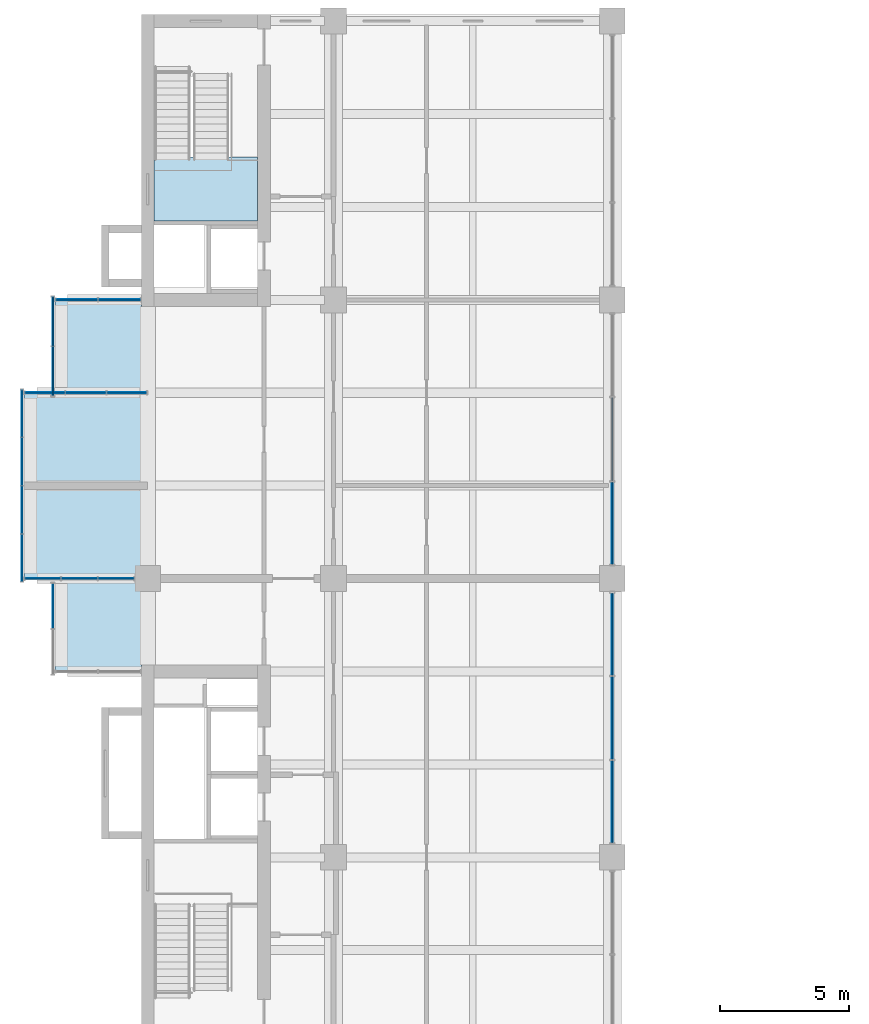
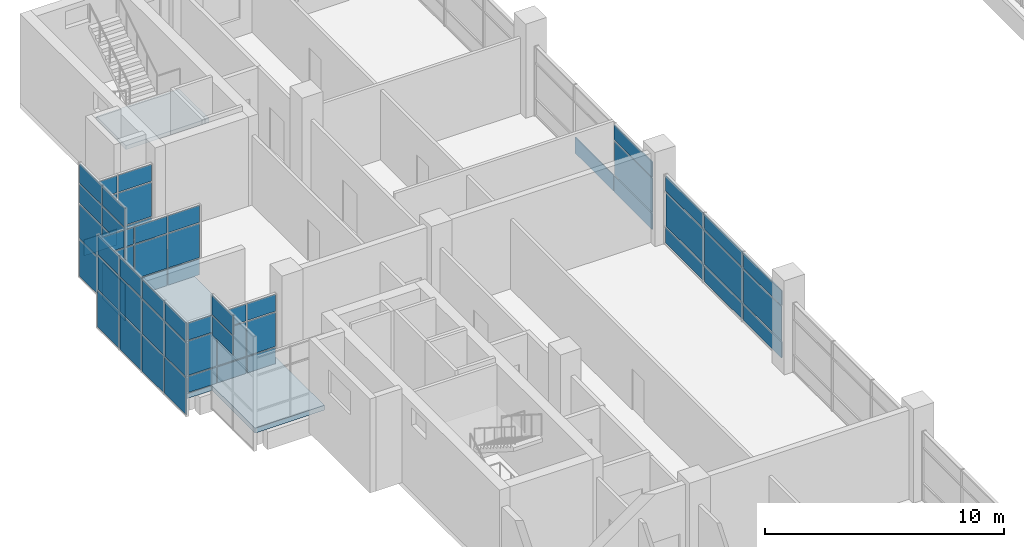
# One storey, part 18 of 30: 59 plates, 2 slabs, 9 elements without a shape of their own.
"""IFC4 building model written with IfcOpenShell, lengths in metres."""

from ifc_helpers import new_model, si_unit, direction, frame, origin, origin_2d, place, context, subcontext, project, spatial, polyline, rectangle, outline, extrude, material, layer, layer_set, type_object, element, aggregate, save


model = new_model("IFC4")

# Units and contexts
model_context = context("Model", 3, precision=1e-05, world=origin(), true_north=direction((0.0, 1.0)))
body_context = subcontext(model_context, "Body", "Model", "MODEL_VIEW")
ifc_project = project(units=[si_unit("LENGTHUNIT", "METRE"), si_unit("AREAUNIT", "SQUARE_METRE"), si_unit("VOLUMEUNIT", "CUBIC_METRE"), si_unit("PLANEANGLEUNIT", "RADIAN"), si_unit("MASSUNIT", "GRAM", prefix="KILO")], contexts=[model_context])

# Site, building, storey
site_placement = place(None, origin())
site = spatial("IfcSite", under=ifc_project, at=site_placement, CompositionType="ELEMENT")
building_placement = place(site_placement, origin())
building = spatial("IfcBuilding", under=site, at=building_placement, Name="Basin Gate Institute", CompositionType="ELEMENT")
storey_placement = place(building_placement, frame((0.0, 0.0, 36.60009765625)))
storey = spatial("IfcBuildingStorey", under=building, at=storey_placement, Name="L07", CompositionType="ELEMENT", Elevation=36.60009765625)

# Slab
ifc_material_1 = material(Name="Concrete 40 MPa", Category="concrete")
ifc_layer_1 = layer(ifc_material_1, 0.25)
ifc_layer_set_1 = layer_set([ifc_layer_1], Name="Concrete 40 MPa")
slab_type_1 = type_object("IfcSlabType", Name="Slab SL4 R120", PredefinedType="FLOOR", material=ifc_layer_set_1)
slab_1_placement = place(storey_placement, frame((0.0, 0.0, -0.25)))
element("IfcSlab", 1, at=slab_1_placement, inside=storey, type_object=slab_type_1, material=ifc_layer_set_1, Name="SLAB/L07/WK21", PredefinedType="FLOOR", context=body_context, shape_type="SweptSolid", body=[
    extrude(outline(polyline([(57.60009765625, 74.699951171875), (57.60009765625, 78.300048828125), (56.39990234375, 78.300048828125), (56.39990234375, 85.5), (57.60009765625, 85.5), (57.60009765625, 89.10009765625), (60.949951171875, 89.10009765625), (60.949951171875, 74.699951171875), (57.60009765625, 74.699951171875)])), origin(), (0.0, 0.0, 1.0), 0.25),
])

# Curtain wall, plates
ifc_material_2 = material(Name="Aluminium-framed glazing", Category="aluminium")
ifc_layer_2 = layer(ifc_material_2, 0.199951171875)
ifc_layer_set_2 = layer_set([ifc_layer_2], Name="Atrium curtain wall CW2")
curtain_wall_type_1 = type_object("IfcCurtainWallType", Name="Atrium curtain wall CW2", PredefinedType="NOTDEFINED", material=ifc_layer_set_2)
curtain_wall_1_placement = place(storey_placement, origin())
curtain_wall_1 = element("IfcCurtainWall", 2, at=curtain_wall_1_placement, inside=storey, type_object=curtain_wall_type_1, material=ifc_layer_set_2, Name="Atrium curtain wall W wing atrium bay 4 L07", PredefinedType="NOTDEFINED")
ifc_material_3 = material(Name="Aluminium insulated spandrel panel", Category="aluminium")
ifc_layer_3 = layer(ifc_material_3, 0.050048828125)
ifc_layer_set_3 = layer_set([ifc_layer_3], Name="Spandrel panel PN2")
plate_type_1 = type_object("IfcPlateType", Name="Spandrel panel PN2", PredefinedType="CURTAIN_PANEL", material=ifc_layer_set_3)
plate_1_placement = place(storey_placement, frame((79.199951171875, 69.6484375, 0.059814453125), z_axis=(0.0, 0.0, 1.0), x_axis=(0.0, 1.0, 0.0)))
plate_1 = element("IfcPlate", 3, at=plate_1_placement, type_object=plate_type_1, material=ifc_layer_set_3, Name="CW2 spandrel panel 1.1", PredefinedType="CURTAIN_PANEL", context=body_context, shape_type="SweptSolid", body=[
    extrude(rectangle(XDim=3.1767578125, YDim=0.050048828125, at=origin_2d()), origin(), (0.0, 0.0, 1.0), 0.81005859375),
])
plate_2_placement = place(storey_placement, frame((79.199951171875, 69.6484375, 2.72998046875), z_axis=(0.0, 0.0, 1.0), x_axis=(0.0, 1.0, 0.0)))
plate_2 = element("IfcPlate", 4, at=plate_2_placement, type_object=plate_type_1, material=ifc_layer_set_3, Name="CW2 spandrel panel 1.3", PredefinedType="CURTAIN_PANEL", context=body_context, shape_type="SweptSolid", body=[
    extrude(rectangle(XDim=3.1767578125, YDim=0.050048828125, at=origin_2d()), origin(), (0.0, 0.0, 1.0), 0.760009765625),
])
plate_3_placement = place(storey_placement, frame((79.199951171875, 72.89990234375, 0.059814453125), z_axis=(0.0, 0.0, 1.0), x_axis=(0.0, 1.0, 0.0)))
plate_3 = element("IfcPlate", 5, at=plate_3_placement, type_object=plate_type_1, material=ifc_layer_set_3, Name="CW2 spandrel panel 2.1", PredefinedType="CURTAIN_PANEL", context=body_context, shape_type="SweptSolid", body=[
    extrude(rectangle(XDim=3.206787109375, YDim=0.050048828125, at=origin_2d()), origin(), (0.0, 0.0, 1.0), 0.81005859375),
])
plate_4_placement = place(storey_placement, frame((79.199951171875, 72.89990234375, 2.72998046875), z_axis=(0.0, 0.0, 1.0), x_axis=(0.0, 1.0, 0.0)))
plate_4 = element("IfcPlate", 6, at=plate_4_placement, type_object=plate_type_1, material=ifc_layer_set_3, Name="CW2 spandrel panel 2.3", PredefinedType="CURTAIN_PANEL", context=body_context, shape_type="SweptSolid", body=[
    extrude(rectangle(XDim=3.206787109375, YDim=0.050048828125, at=origin_2d()), origin(), (0.0, 0.0, 1.0), 0.760009765625),
])
plate_5_placement = place(storey_placement, frame((79.199951171875, 76.151611328125, 0.059814453125), z_axis=(0.0, 0.0, 1.0), x_axis=(0.0, 1.0, 0.0)))
plate_5 = element("IfcPlate", 7, at=plate_5_placement, type_object=plate_type_1, material=ifc_layer_set_3, Name="CW2 spandrel panel 3.1", PredefinedType="CURTAIN_PANEL", context=body_context, shape_type="SweptSolid", body=[
    extrude(rectangle(XDim=3.1767578125, YDim=0.050048828125, at=origin_2d()), origin(), (0.0, 0.0, 1.0), 0.81005859375),
])
plate_6_placement = place(storey_placement, frame((79.199951171875, 76.151611328125, 2.72998046875), z_axis=(0.0, 0.0, 1.0), x_axis=(0.0, 1.0, 0.0)))
plate_6 = element("IfcPlate", 8, at=plate_6_placement, type_object=plate_type_1, material=ifc_layer_set_3, Name="CW2 spandrel panel 3.3", PredefinedType="CURTAIN_PANEL", context=body_context, shape_type="SweptSolid", body=[
    extrude(rectangle(XDim=3.1767578125, YDim=0.050048828125, at=origin_2d()), origin(), (0.0, 0.0, 1.0), 0.760009765625),
])

curtain_wall_2_placement = place(storey_placement, origin())
curtain_wall_2 = element("IfcCurtainWall", 9, at=curtain_wall_2_placement, inside=storey, type_object=curtain_wall_type_1, material=ifc_layer_set_2, Name="Atrium curtain wall W wing atrium bay 5 L07", PredefinedType="NOTDEFINED")
plate_7_placement = place(storey_placement, frame((79.199951171875, 80.4482421875, 0.059814453125), z_axis=(0.0, 0.0, 1.0), x_axis=(0.0, 1.0, 0.0)))
plate_7 = element("IfcPlate", 10, at=plate_7_placement, type_object=plate_type_1, material=ifc_layer_set_3, Name="CW2 spandrel panel 1.1", PredefinedType="CURTAIN_PANEL", context=body_context, shape_type="SweptSolid", body=[
    extrude(rectangle(XDim=3.1767578125, YDim=0.050048828125, at=origin_2d()), origin(), (0.0, 0.0, 1.0), 0.81005859375),
])
plate_8_placement = place(storey_placement, frame((79.199951171875, 80.4482421875, 2.72998046875), z_axis=(0.0, 0.0, 1.0), x_axis=(0.0, 1.0, 0.0)))
plate_8 = element("IfcPlate", 11, at=plate_8_placement, type_object=plate_type_1, material=ifc_layer_set_3, Name="CW2 spandrel panel 1.3", PredefinedType="CURTAIN_PANEL", context=body_context, shape_type="SweptSolid", body=[
    extrude(rectangle(XDim=3.1767578125, YDim=0.050048828125, at=origin_2d()), origin(), (0.0, 0.0, 1.0), 0.760009765625),
])
plate_9_placement = place(storey_placement, frame((79.199951171875, 83.699951171875, 0.059814453125), z_axis=(0.0, 0.0, 1.0), x_axis=(0.0, 1.0, 0.0)))
plate_9 = element("IfcPlate", 12, at=plate_9_placement, type_object=plate_type_1, material=ifc_layer_set_3, Name="CW2 spandrel panel 2.1", PredefinedType="CURTAIN_PANEL", context=body_context, shape_type="SweptSolid", body=[
    extrude(rectangle(XDim=3.206787109375, YDim=0.050048828125, at=origin_2d()), origin(), (0.0, 0.0, 1.0), 0.81005859375),
])

ifc_material_4 = material(Name="Aluminium-framed glazing", Category="aluminium")
ifc_layer_4 = layer(ifc_material_4, 0.14990234375)
ifc_layer_set_4 = layer_set([ifc_layer_4], Name="Capsule front curtain wall CW1")
curtain_wall_type_2 = type_object("IfcCurtainWallType", Name="Capsule front curtain wall CW1", PredefinedType="NOTDEFINED", material=ifc_layer_set_4)
curtain_wall_3_placement = place(storey_placement, origin())
curtain_wall_3 = element("IfcCurtainWall", 13, at=curtain_wall_3_placement, inside=storey, type_object=curtain_wall_type_2, material=ifc_layer_set_4, Name="Capsule front curtain wall W wing capsule end L07 line 13", PredefinedType="NOTDEFINED")
plate_10_placement = place(storey_placement, frame((57.129150390625, 78.300048828125, 0.059814453125), z_axis=(0.0, 0.0, 1.0), x_axis=(1.0, 0.0, 0.0)))
plate_10 = element("IfcPlate", 14, at=plate_10_placement, type_object=plate_type_1, material=ifc_layer_set_3, Name="CW1 spandrel panel 1.1", PredefinedType="CURTAIN_PANEL", context=body_context, shape_type="SweptSolid", body=[
    extrude(rectangle(XDim=1.3583984375, YDim=0.050048828125, at=origin_2d()), origin(), (0.0, 0.0, 1.0), 0.81005859375),
])
plate_11_placement = place(storey_placement, frame((58.550048828125, 78.300048828125, 0.059814453125), z_axis=(0.0, 0.0, 1.0), x_axis=(1.0, 0.0, 0.0)))
plate_11 = element("IfcPlate", 15, at=plate_11_placement, type_object=plate_type_1, material=ifc_layer_set_3, Name="CW1 spandrel panel 2.1", PredefinedType="CURTAIN_PANEL", context=body_context, shape_type="SweptSolid", body=[
    extrude(rectangle(XDim=1.38330078125, YDim=0.050048828125, at=origin_2d()), origin(), (0.0, 0.0, 1.0), 0.81005859375),
])
plate_12_placement = place(storey_placement, frame((59.970947265625, 78.300048828125, 0.059814453125), z_axis=(0.0, 0.0, 1.0), x_axis=(1.0, 0.0, 0.0)))
plate_12 = element("IfcPlate", 16, at=plate_12_placement, type_object=plate_type_1, material=ifc_layer_set_3, Name="CW1 spandrel panel 3.1", PredefinedType="CURTAIN_PANEL", context=body_context, shape_type="SweptSolid", body=[
    extrude(rectangle(XDim=1.3583984375, YDim=0.050048828125, at=origin_2d()), origin(), (0.0, 0.0, 1.0), 0.81005859375),
])

curtain_wall_4_placement = place(storey_placement, origin())
curtain_wall_4 = element("IfcCurtainWall", 17, at=curtain_wall_4_placement, inside=storey, type_object=curtain_wall_type_2, material=ifc_layer_set_4, Name="Capsule front curtain wall W wing capsule end L07 line 15", PredefinedType="NOTDEFINED")
plate_13_placement = place(storey_placement, frame((57.21240234375, 85.5, 0.059814453125), z_axis=(0.0, 0.0, 1.0), x_axis=(1.0, 0.0, 0.0)))
plate_13 = element("IfcPlate", 18, at=plate_13_placement, type_object=plate_type_1, material=ifc_layer_set_3, Name="CW1 spandrel panel 1.1", PredefinedType="CURTAIN_PANEL", context=body_context, shape_type="SweptSolid", body=[
    extrude(rectangle(XDim=1.52490234375, YDim=0.050048828125, at=origin_2d()), origin(), (0.0, 0.0, 1.0), 0.81005859375),
])
plate_14_placement = place(storey_placement, frame((58.800048828125, 85.5, 0.059814453125), z_axis=(0.0, 0.0, 1.0), x_axis=(1.0, 0.0, 0.0)))
plate_14 = element("IfcPlate", 19, at=plate_14_placement, type_object=plate_type_1, material=ifc_layer_set_3, Name="CW1 spandrel panel 2.1", PredefinedType="CURTAIN_PANEL", context=body_context, shape_type="SweptSolid", body=[
    extrude(rectangle(XDim=1.550048828125, YDim=0.050048828125, at=origin_2d()), origin(), (0.0, 0.0, 1.0), 0.81005859375),
])
plate_15_placement = place(storey_placement, frame((60.387451171875, 85.5, 0.059814453125), z_axis=(0.0, 0.0, 1.0), x_axis=(1.0, 0.0, 0.0)))
plate_15 = element("IfcPlate", 20, at=plate_15_placement, type_object=plate_type_1, material=ifc_layer_set_3, Name="CW1 spandrel panel 3.1", PredefinedType="CURTAIN_PANEL", context=body_context, shape_type="SweptSolid", body=[
    extrude(rectangle(XDim=1.52490234375, YDim=0.050048828125, at=origin_2d()), origin(), (0.0, 0.0, 1.0), 0.81005859375),
])

curtain_wall_5_placement = place(storey_placement, origin())
curtain_wall_5 = element("IfcCurtainWall", 21, at=curtain_wall_5_placement, inside=storey, type_object=curtain_wall_type_2, material=ifc_layer_set_4, Name="Capsule front curtain wall W wing capsule end L07 line 16", PredefinedType="NOTDEFINED")
plate_16_placement = place(storey_placement, frame((58.449951171875, 89.10009765625, 0.059814453125), z_axis=(0.0, 0.0, 1.0), x_axis=(1.0, 0.0, 0.0)))
plate_16 = element("IfcPlate", 22, at=plate_16_placement, type_object=plate_type_1, material=ifc_layer_set_3, Name="CW1 spandrel panel 1.1", PredefinedType="CURTAIN_PANEL", context=body_context, shape_type="SweptSolid", body=[
    extrude(rectangle(XDim=1.60009765625, YDim=0.050048828125, at=origin_2d()), origin(), (0.0, 0.0, 1.0), 0.81005859375),
])
plate_17_placement = place(storey_placement, frame((60.10009765625, 89.10009765625, 0.059814453125), z_axis=(0.0, 0.0, 1.0), x_axis=(1.0, 0.0, 0.0)))
plate_17 = element("IfcPlate", 23, at=plate_17_placement, type_object=plate_type_1, material=ifc_layer_set_3, Name="CW1 spandrel panel 2.1", PredefinedType="CURTAIN_PANEL", context=body_context, shape_type="SweptSolid", body=[
    extrude(rectangle(XDim=1.60009765625, YDim=0.050048828125, at=origin_2d()), origin(), (0.0, 0.0, 1.0), 0.81005859375),
])

# Curtain wall, plate
curtain_wall_6_placement = place(storey_placement, origin())
curtain_wall_6 = element("IfcCurtainWall", 24, at=curtain_wall_6_placement, inside=storey, type_object=curtain_wall_type_2, material=ifc_layer_set_4, Name="Capsule front curtain wall W wing capsule 2 L07 front 1", PredefinedType="NOTDEFINED")
plate_18_placement = place(storey_placement, frame((57.52490234375, 77.237548828125, 3.780029296875), z_axis=(0.0, 0.0, 1.0), x_axis=(0.0, 1.0, 0.0)))
plate_18 = element("IfcPlate", 25, at=plate_18_placement, type_object=plate_type_1, material=ifc_layer_set_3, Name="CW1 spandrel panel 2.4", PredefinedType="CURTAIN_PANEL", context=body_context, shape_type="SweptSolid", body=[
    extrude(rectangle(XDim=1.72509765625, YDim=0.050048828125, at=origin_2d()), origin(), (0.0, 0.0, 1.0), 0.9599609375),
])

# Curtain wall, plates
curtain_wall_7_placement = place(storey_placement, origin())
curtain_wall_7 = element("IfcCurtainWall", 26, at=curtain_wall_7_placement, inside=storey, type_object=curtain_wall_type_2, material=ifc_layer_set_4, Name="Capsule front curtain wall W wing capsule 2 L07 front 2", PredefinedType="NOTDEFINED")
plate_19_placement = place(storey_placement, frame((56.324951171875, 79.10009765625, -0.990234375), z_axis=(0.0, 0.0, 1.0), x_axis=(0.0, 1.0, 0.0)))
plate_19 = element("IfcPlate", 27, at=plate_19_placement, type_object=plate_type_1, material=ifc_layer_set_3, Name="CW1 spandrel panel 1.1", PredefinedType="CURTAIN_PANEL", context=body_context, shape_type="SweptSolid", body=[
    extrude(rectangle(XDim=1.800048828125, YDim=0.050048828125, at=origin_2d()), origin(), (0.0, 0.0, 1.0), 1.860107421875),
])
plate_20_placement = place(storey_placement, frame((56.324951171875, 80.96240234375, -0.990234375), z_axis=(0.0, 0.0, 1.0), x_axis=(0.0, 1.0, 0.0)))
plate_20 = element("IfcPlate", 28, at=plate_20_placement, type_object=plate_type_1, material=ifc_layer_set_3, Name="CW1 spandrel panel 2.1", PredefinedType="CURTAIN_PANEL", context=body_context, shape_type="SweptSolid", body=[
    extrude(rectangle(XDim=1.824951171875, YDim=0.050048828125, at=origin_2d()), origin(), (0.0, 0.0, 1.0), 1.860107421875),
])
plate_21_placement = place(storey_placement, frame((56.324951171875, 82.83740234375, -0.990234375), z_axis=(0.0, 0.0, 1.0), x_axis=(0.0, 1.0, 0.0)))
plate_21 = element("IfcPlate", 29, at=plate_21_placement, type_object=plate_type_1, material=ifc_layer_set_3, Name="CW1 spandrel panel 3.1", PredefinedType="CURTAIN_PANEL", context=body_context, shape_type="SweptSolid", body=[
    extrude(rectangle(XDim=1.824951171875, YDim=0.050048828125, at=origin_2d()), origin(), (0.0, 0.0, 1.0), 1.860107421875),
])
plate_22_placement = place(storey_placement, frame((56.324951171875, 84.699951171875, -0.990234375), z_axis=(0.0, 0.0, 1.0), x_axis=(0.0, 1.0, 0.0)))
plate_22 = element("IfcPlate", 30, at=plate_22_placement, type_object=plate_type_1, material=ifc_layer_set_3, Name="CW1 spandrel panel 4.1", PredefinedType="CURTAIN_PANEL", context=body_context, shape_type="SweptSolid", body=[
    extrude(rectangle(XDim=1.800048828125, YDim=0.050048828125, at=origin_2d()), origin(), (0.0, 0.0, 1.0), 1.860107421875),
])

curtain_wall_8_placement = place(storey_placement, origin())
curtain_wall_8 = element("IfcCurtainWall", 31, at=curtain_wall_8_placement, inside=storey, type_object=curtain_wall_type_2, material=ifc_layer_set_4, Name="Capsule front curtain wall W wing capsule 2 L07 front 4", PredefinedType="NOTDEFINED")
plate_23_placement = place(storey_placement, frame((57.52490234375, 86.33740234375, -0.990234375), z_axis=(0.0, 0.0, 1.0), x_axis=(0.0, 1.0, 0.0)))
plate_23 = element("IfcPlate", 32, at=plate_23_placement, type_object=plate_type_1, material=ifc_layer_set_3, Name="CW1 spandrel panel 1.1", PredefinedType="CURTAIN_PANEL", context=body_context, shape_type="SweptSolid", body=[
    extrude(rectangle(XDim=1.875, YDim=0.050048828125, at=origin_2d()), origin(), (0.0, 0.0, 1.0), 1.860107421875),
])
plate_24_placement = place(storey_placement, frame((57.52490234375, 86.33740234375, 3.780029296875), z_axis=(0.0, 0.0, 1.0), x_axis=(0.0, 1.0, 0.0)))
plate_24 = element("IfcPlate", 33, at=plate_24_placement, type_object=plate_type_1, material=ifc_layer_set_3, Name="CW1 spandrel panel 1.4", PredefinedType="CURTAIN_PANEL", context=body_context, shape_type="SweptSolid", body=[
    extrude(rectangle(XDim=1.875, YDim=0.050048828125, at=origin_2d()), origin(), (0.0, 0.0, 1.0), 0.9599609375),
])
plate_25_placement = place(storey_placement, frame((57.52490234375, 88.262451171875, -0.990234375), z_axis=(0.0, 0.0, 1.0), x_axis=(0.0, 1.0, 0.0)))
plate_25 = element("IfcPlate", 34, at=plate_25_placement, type_object=plate_type_1, material=ifc_layer_set_3, Name="CW1 spandrel panel 2.1", PredefinedType="CURTAIN_PANEL", context=body_context, shape_type="SweptSolid", body=[
    extrude(rectangle(XDim=1.875, YDim=0.050048828125, at=origin_2d()), origin(), (0.0, 0.0, 1.0), 1.860107421875),
])
plate_26_placement = place(storey_placement, frame((57.52490234375, 88.262451171875, 3.780029296875), z_axis=(0.0, 0.0, 1.0), x_axis=(0.0, 1.0, 0.0)))
plate_26 = element("IfcPlate", 35, at=plate_26_placement, type_object=plate_type_1, material=ifc_layer_set_3, Name="CW1 spandrel panel 2.4", PredefinedType="CURTAIN_PANEL", context=body_context, shape_type="SweptSolid", body=[
    extrude(rectangle(XDim=1.875, YDim=0.050048828125, at=origin_2d()), origin(), (0.0, 0.0, 1.0), 0.9599609375),
])

# Stair, slab
ifc_material_5 = material(Name="Concrete 40 MPa", Category="concrete")
stair_type = type_object("IfcStairType", Name="Stair ST", PredefinedType="HALF_TURN_STAIR", material=ifc_material_5)
stair_placement = place(storey_placement, origin())
stair = element("IfcStair", 36, at=stair_placement, inside=storey, type_object=stair_type, material=ifc_material_5, Name="Special safe stair ST-WN L07", PredefinedType="HALF_TURN_STAIR")
ifc_material_6 = material(Name="Concrete 40 MPa", Category="concrete")
ifc_layer_5 = layer(ifc_material_6, 0.199951171875)
ifc_layer_set_5 = layer_set([ifc_layer_5], Name="Concrete 40 MPa")
slab_type_2 = type_object("IfcSlabType", Name="Stair landing LN REI 120", PredefinedType="LANDING", material=ifc_layer_set_5)
slab_2_placement = place(storey_placement, frame((0.0, 0.0, 2.288818359375)))
slab_2 = element("IfcSlab", 37, at=slab_2_placement, type_object=slab_type_2, material=ifc_layer_set_5, Name="Stair landing ST-WN-L1 L07", PredefinedType="LANDING", context=body_context, shape_type="SweptSolid", body=[
    extrude(outline(polyline([(61.449951171875, 92.14990234375), (65.449951171875, 92.14990234375), (65.449951171875, 94.6298828125), (61.449951171875, 94.6298828125), (61.449951171875, 92.14990234375)])), origin(), (0.0, 0.0, 1.0), 0.199951171875),
])
aggregate(stair, [slab_2])

# Plate
ifc_material_7 = material(Name="Double glazed unit")
ifc_layer_6 = layer(ifc_material_7, 0.028076171875)
ifc_layer_set_6 = layer_set([ifc_layer_6], Name="Vision panel PN1")
plate_type_2 = type_object("IfcPlateType", Name="Vision panel PN1", PredefinedType="CURTAIN_PANEL", material=ifc_layer_set_6)
plate_27_placement = place(storey_placement, frame((79.199951171875, 69.6484375, 0.9296875), z_axis=(0.0, 0.0, 1.0), x_axis=(0.0, 1.0, 0.0)))
plate_27 = element("IfcPlate", 38, at=plate_27_placement, type_object=plate_type_2, material=ifc_layer_set_6, Name="CW2 vision panel 1.2", PredefinedType="CURTAIN_PANEL", context=body_context, shape_type="SweptSolid", body=[
    extrude(rectangle(XDim=3.1767578125, YDim=0.028076171875, at=origin_2d()), origin(), (0.0, 0.0, 1.0), 1.739990234375),
])

plate_28_placement = place(storey_placement, frame((79.199951171875, 72.89990234375, 0.9296875), z_axis=(0.0, 0.0, 1.0), x_axis=(0.0, 1.0, 0.0)))
plate_28 = element("IfcPlate", 39, at=plate_28_placement, type_object=plate_type_2, material=ifc_layer_set_6, Name="CW2 vision panel 2.2", PredefinedType="CURTAIN_PANEL", context=body_context, shape_type="SweptSolid", body=[
    extrude(rectangle(XDim=3.206787109375, YDim=0.028076171875, at=origin_2d()), origin(), (0.0, 0.0, 1.0), 1.739990234375),
])

plate_29_placement = place(storey_placement, frame((79.199951171875, 76.151611328125, 0.9296875), z_axis=(0.0, 0.0, 1.0), x_axis=(0.0, 1.0, 0.0)))
plate_29 = element("IfcPlate", 40, at=plate_29_placement, type_object=plate_type_2, material=ifc_layer_set_6, Name="CW2 vision panel 3.2", PredefinedType="CURTAIN_PANEL", context=body_context, shape_type="SweptSolid", body=[
    extrude(rectangle(XDim=3.1767578125, YDim=0.028076171875, at=origin_2d()), origin(), (0.0, 0.0, 1.0), 1.739990234375),
])

aggregate(curtain_wall_1, [plate_1, plate_27, plate_2, plate_3, plate_28, plate_4, plate_5, plate_29, plate_6])

plate_30_placement = place(storey_placement, frame((79.199951171875, 80.4482421875, 0.9296875), z_axis=(0.0, 0.0, 1.0), x_axis=(0.0, 1.0, 0.0)))
plate_30 = element("IfcPlate", 41, at=plate_30_placement, type_object=plate_type_2, material=ifc_layer_set_6, Name="CW2 vision panel 1.2", PredefinedType="CURTAIN_PANEL", context=body_context, shape_type="SweptSolid", body=[
    extrude(rectangle(XDim=3.1767578125, YDim=0.028076171875, at=origin_2d()), origin(), (0.0, 0.0, 1.0), 1.739990234375),
])

aggregate(curtain_wall_2, [plate_7, plate_30, plate_8, plate_9])

plate_31_placement = place(storey_placement, frame((57.129150390625, 78.300048828125, 0.9296875), z_axis=(0.0, 0.0, 1.0), x_axis=(1.0, 0.0, 0.0)))
plate_31 = element("IfcPlate", 42, at=plate_31_placement, type_object=plate_type_2, material=ifc_layer_set_6, Name="CW1 vision panel 1.2", PredefinedType="CURTAIN_PANEL", context=body_context, shape_type="SweptSolid", body=[
    extrude(rectangle(XDim=1.3583984375, YDim=0.028076171875, at=origin_2d()), origin(), (0.0, 0.0, 1.0), 1.739990234375),
])

plate_32_placement = place(storey_placement, frame((57.129150390625, 78.300048828125, 2.72998046875), z_axis=(0.0, 0.0, 1.0), x_axis=(1.0, 0.0, 0.0)))
plate_32 = element("IfcPlate", 43, at=plate_32_placement, type_object=plate_type_2, material=ifc_layer_set_6, Name="CW1 vision panel 1.3", PredefinedType="CURTAIN_PANEL", context=body_context, shape_type="SweptSolid", body=[
    extrude(rectangle(XDim=1.3583984375, YDim=0.028076171875, at=origin_2d()), origin(), (0.0, 0.0, 1.0), 0.860107421875),
])

plate_33_placement = place(storey_placement, frame((58.550048828125, 78.300048828125, 0.9296875), z_axis=(0.0, 0.0, 1.0), x_axis=(1.0, 0.0, 0.0)))
plate_33 = element("IfcPlate", 44, at=plate_33_placement, type_object=plate_type_2, material=ifc_layer_set_6, Name="CW1 vision panel 2.2", PredefinedType="CURTAIN_PANEL", context=body_context, shape_type="SweptSolid", body=[
    extrude(rectangle(XDim=1.38330078125, YDim=0.028076171875, at=origin_2d()), origin(), (0.0, 0.0, 1.0), 1.739990234375),
])

plate_34_placement = place(storey_placement, frame((58.550048828125, 78.300048828125, 2.72998046875), z_axis=(0.0, 0.0, 1.0), x_axis=(1.0, 0.0, 0.0)))
plate_34 = element("IfcPlate", 45, at=plate_34_placement, type_object=plate_type_2, material=ifc_layer_set_6, Name="CW1 vision panel 2.3", PredefinedType="CURTAIN_PANEL", context=body_context, shape_type="SweptSolid", body=[
    extrude(rectangle(XDim=1.38330078125, YDim=0.028076171875, at=origin_2d()), origin(), (0.0, 0.0, 1.0), 0.860107421875),
])

plate_35_placement = place(storey_placement, frame((59.970947265625, 78.300048828125, 0.9296875), z_axis=(0.0, 0.0, 1.0), x_axis=(1.0, 0.0, 0.0)))
plate_35 = element("IfcPlate", 46, at=plate_35_placement, type_object=plate_type_2, material=ifc_layer_set_6, Name="CW1 vision panel 3.2", PredefinedType="CURTAIN_PANEL", context=body_context, shape_type="SweptSolid", body=[
    extrude(rectangle(XDim=1.3583984375, YDim=0.028076171875, at=origin_2d()), origin(), (0.0, 0.0, 1.0), 1.739990234375),
])

plate_36_placement = place(storey_placement, frame((59.970947265625, 78.300048828125, 2.72998046875), z_axis=(0.0, 0.0, 1.0), x_axis=(1.0, 0.0, 0.0)))
plate_36 = element("IfcPlate", 47, at=plate_36_placement, type_object=plate_type_2, material=ifc_layer_set_6, Name="CW1 vision panel 3.3", PredefinedType="CURTAIN_PANEL", context=body_context, shape_type="SweptSolid", body=[
    extrude(rectangle(XDim=1.3583984375, YDim=0.028076171875, at=origin_2d()), origin(), (0.0, 0.0, 1.0), 0.860107421875),
])

aggregate(curtain_wall_3, [plate_10, plate_31, plate_32, plate_11, plate_33, plate_34, plate_12, plate_35, plate_36])

plate_37_placement = place(storey_placement, frame((57.21240234375, 85.5, 0.9296875), z_axis=(0.0, 0.0, 1.0), x_axis=(1.0, 0.0, 0.0)))
plate_37 = element("IfcPlate", 48, at=plate_37_placement, type_object=plate_type_2, material=ifc_layer_set_6, Name="CW1 vision panel 1.2", PredefinedType="CURTAIN_PANEL", context=body_context, shape_type="SweptSolid", body=[
    extrude(rectangle(XDim=1.52490234375, YDim=0.028076171875, at=origin_2d()), origin(), (0.0, 0.0, 1.0), 1.739990234375),
])

plate_38_placement = place(storey_placement, frame((57.21240234375, 85.5, 2.72998046875), z_axis=(0.0, 0.0, 1.0), x_axis=(1.0, 0.0, 0.0)))
plate_38 = element("IfcPlate", 49, at=plate_38_placement, type_object=plate_type_2, material=ifc_layer_set_6, Name="CW1 vision panel 1.3", PredefinedType="CURTAIN_PANEL", context=body_context, shape_type="SweptSolid", body=[
    extrude(rectangle(XDim=1.52490234375, YDim=0.028076171875, at=origin_2d()), origin(), (0.0, 0.0, 1.0), 0.860107421875),
])

plate_39_placement = place(storey_placement, frame((58.800048828125, 85.5, 0.9296875), z_axis=(0.0, 0.0, 1.0), x_axis=(1.0, 0.0, 0.0)))
plate_39 = element("IfcPlate", 50, at=plate_39_placement, type_object=plate_type_2, material=ifc_layer_set_6, Name="CW1 vision panel 2.2", PredefinedType="CURTAIN_PANEL", context=body_context, shape_type="SweptSolid", body=[
    extrude(rectangle(XDim=1.550048828125, YDim=0.028076171875, at=origin_2d()), origin(), (0.0, 0.0, 1.0), 1.739990234375),
])

plate_40_placement = place(storey_placement, frame((58.800048828125, 85.5, 2.72998046875), z_axis=(0.0, 0.0, 1.0), x_axis=(1.0, 0.0, 0.0)))
plate_40 = element("IfcPlate", 51, at=plate_40_placement, type_object=plate_type_2, material=ifc_layer_set_6, Name="CW1 vision panel 2.3", PredefinedType="CURTAIN_PANEL", context=body_context, shape_type="SweptSolid", body=[
    extrude(rectangle(XDim=1.550048828125, YDim=0.028076171875, at=origin_2d()), origin(), (0.0, 0.0, 1.0), 0.860107421875),
])

plate_41_placement = place(storey_placement, frame((60.387451171875, 85.5, 0.9296875), z_axis=(0.0, 0.0, 1.0), x_axis=(1.0, 0.0, 0.0)))
plate_41 = element("IfcPlate", 52, at=plate_41_placement, type_object=plate_type_2, material=ifc_layer_set_6, Name="CW1 vision panel 3.2", PredefinedType="CURTAIN_PANEL", context=body_context, shape_type="SweptSolid", body=[
    extrude(rectangle(XDim=1.52490234375, YDim=0.028076171875, at=origin_2d()), origin(), (0.0, 0.0, 1.0), 1.739990234375),
])

plate_42_placement = place(storey_placement, frame((60.387451171875, 85.5, 2.72998046875), z_axis=(0.0, 0.0, 1.0), x_axis=(1.0, 0.0, 0.0)))
plate_42 = element("IfcPlate", 53, at=plate_42_placement, type_object=plate_type_2, material=ifc_layer_set_6, Name="CW1 vision panel 3.3", PredefinedType="CURTAIN_PANEL", context=body_context, shape_type="SweptSolid", body=[
    extrude(rectangle(XDim=1.52490234375, YDim=0.028076171875, at=origin_2d()), origin(), (0.0, 0.0, 1.0), 0.860107421875),
])

aggregate(curtain_wall_4, [plate_13, plate_37, plate_38, plate_14, plate_39, plate_40, plate_15, plate_41, plate_42])

plate_43_placement = place(storey_placement, frame((58.449951171875, 89.10009765625, 0.9296875), z_axis=(0.0, 0.0, 1.0), x_axis=(1.0, 0.0, 0.0)))
plate_43 = element("IfcPlate", 54, at=plate_43_placement, type_object=plate_type_2, material=ifc_layer_set_6, Name="CW1 vision panel 1.2", PredefinedType="CURTAIN_PANEL", context=body_context, shape_type="SweptSolid", body=[
    extrude(rectangle(XDim=1.60009765625, YDim=0.028076171875, at=origin_2d()), origin(), (0.0, 0.0, 1.0), 1.739990234375),
])

plate_44_placement = place(storey_placement, frame((58.449951171875, 89.10009765625, 2.72998046875), z_axis=(0.0, 0.0, 1.0), x_axis=(1.0, 0.0, 0.0)))
plate_44 = element("IfcPlate", 55, at=plate_44_placement, type_object=plate_type_2, material=ifc_layer_set_6, Name="CW1 vision panel 1.3", PredefinedType="CURTAIN_PANEL", context=body_context, shape_type="SweptSolid", body=[
    extrude(rectangle(XDim=1.60009765625, YDim=0.028076171875, at=origin_2d()), origin(), (0.0, 0.0, 1.0), 0.860107421875),
])

plate_45_placement = place(storey_placement, frame((60.10009765625, 89.10009765625, 0.9296875), z_axis=(0.0, 0.0, 1.0), x_axis=(1.0, 0.0, 0.0)))
plate_45 = element("IfcPlate", 56, at=plate_45_placement, type_object=plate_type_2, material=ifc_layer_set_6, Name="CW1 vision panel 2.2", PredefinedType="CURTAIN_PANEL", context=body_context, shape_type="SweptSolid", body=[
    extrude(rectangle(XDim=1.60009765625, YDim=0.028076171875, at=origin_2d()), origin(), (0.0, 0.0, 1.0), 1.739990234375),
])

plate_46_placement = place(storey_placement, frame((60.10009765625, 89.10009765625, 2.72998046875), z_axis=(0.0, 0.0, 1.0), x_axis=(1.0, 0.0, 0.0)))
plate_46 = element("IfcPlate", 57, at=plate_46_placement, type_object=plate_type_2, material=ifc_layer_set_6, Name="CW1 vision panel 2.3", PredefinedType="CURTAIN_PANEL", context=body_context, shape_type="SweptSolid", body=[
    extrude(rectangle(XDim=1.60009765625, YDim=0.028076171875, at=origin_2d()), origin(), (0.0, 0.0, 1.0), 0.860107421875),
])

aggregate(curtain_wall_5, [plate_16, plate_43, plate_44, plate_17, plate_45, plate_46])

plate_47_placement = place(storey_placement, frame((57.52490234375, 77.237548828125, 2.72998046875), z_axis=(0.0, 0.0, 1.0), x_axis=(0.0, 1.0, 0.0)))
plate_47 = element("IfcPlate", 58, at=plate_47_placement, type_object=plate_type_2, material=ifc_layer_set_6, Name="CW1 vision panel 2.3", PredefinedType="CURTAIN_PANEL", context=body_context, shape_type="SweptSolid", body=[
    extrude(rectangle(XDim=1.72509765625, YDim=0.028076171875, at=origin_2d()), origin(), (0.0, 0.0, 1.0), 0.989990234375),
])

aggregate(curtain_wall_6, [plate_47, plate_18])

plate_48_placement = place(storey_placement, frame((56.324951171875, 79.10009765625, 0.9296875), z_axis=(0.0, 0.0, 1.0), x_axis=(0.0, 1.0, 0.0)))
plate_48 = element("IfcPlate", 59, at=plate_48_placement, type_object=plate_type_2, material=ifc_layer_set_6, Name="CW1 vision panel 1.2", PredefinedType="CURTAIN_PANEL", context=body_context, shape_type="SweptSolid", body=[
    extrude(rectangle(XDim=1.800048828125, YDim=0.028076171875, at=origin_2d()), origin(), (0.0, 0.0, 1.0), 1.739990234375),
])

plate_49_placement = place(storey_placement, frame((56.324951171875, 79.10009765625, 2.72998046875), z_axis=(0.0, 0.0, 1.0), x_axis=(0.0, 1.0, 0.0)))
plate_49 = element("IfcPlate", 60, at=plate_49_placement, type_object=plate_type_2, material=ifc_layer_set_6, Name="CW1 vision panel 1.3", PredefinedType="CURTAIN_PANEL", context=body_context, shape_type="SweptSolid", body=[
    extrude(rectangle(XDim=1.800048828125, YDim=0.028076171875, at=origin_2d()), origin(), (0.0, 0.0, 1.0), 0.9599609375),
])

plate_50_placement = place(storey_placement, frame((56.324951171875, 80.96240234375, 0.9296875), z_axis=(0.0, 0.0, 1.0), x_axis=(0.0, 1.0, 0.0)))
plate_50 = element("IfcPlate", 61, at=plate_50_placement, type_object=plate_type_2, material=ifc_layer_set_6, Name="CW1 vision panel 2.2", PredefinedType="CURTAIN_PANEL", context=body_context, shape_type="SweptSolid", body=[
    extrude(rectangle(XDim=1.824951171875, YDim=0.028076171875, at=origin_2d()), origin(), (0.0, 0.0, 1.0), 1.739990234375),
])

plate_51_placement = place(storey_placement, frame((56.324951171875, 80.96240234375, 2.72998046875), z_axis=(0.0, 0.0, 1.0), x_axis=(0.0, 1.0, 0.0)))
plate_51 = element("IfcPlate", 62, at=plate_51_placement, type_object=plate_type_2, material=ifc_layer_set_6, Name="CW1 vision panel 2.3", PredefinedType="CURTAIN_PANEL", context=body_context, shape_type="SweptSolid", body=[
    extrude(rectangle(XDim=1.824951171875, YDim=0.028076171875, at=origin_2d()), origin(), (0.0, 0.0, 1.0), 0.9599609375),
])

plate_52_placement = place(storey_placement, frame((56.324951171875, 82.83740234375, 0.9296875), z_axis=(0.0, 0.0, 1.0), x_axis=(0.0, 1.0, 0.0)))
plate_52 = element("IfcPlate", 63, at=plate_52_placement, type_object=plate_type_2, material=ifc_layer_set_6, Name="CW1 vision panel 3.2", PredefinedType="CURTAIN_PANEL", context=body_context, shape_type="SweptSolid", body=[
    extrude(rectangle(XDim=1.824951171875, YDim=0.028076171875, at=origin_2d()), origin(), (0.0, 0.0, 1.0), 1.739990234375),
])

plate_53_placement = place(storey_placement, frame((56.324951171875, 82.83740234375, 2.72998046875), z_axis=(0.0, 0.0, 1.0), x_axis=(0.0, 1.0, 0.0)))
plate_53 = element("IfcPlate", 64, at=plate_53_placement, type_object=plate_type_2, material=ifc_layer_set_6, Name="CW1 vision panel 3.3", PredefinedType="CURTAIN_PANEL", context=body_context, shape_type="SweptSolid", body=[
    extrude(rectangle(XDim=1.824951171875, YDim=0.028076171875, at=origin_2d()), origin(), (0.0, 0.0, 1.0), 0.9599609375),
])

plate_54_placement = place(storey_placement, frame((56.324951171875, 84.699951171875, 0.9296875), z_axis=(0.0, 0.0, 1.0), x_axis=(0.0, 1.0, 0.0)))
plate_54 = element("IfcPlate", 65, at=plate_54_placement, type_object=plate_type_2, material=ifc_layer_set_6, Name="CW1 vision panel 4.2", PredefinedType="CURTAIN_PANEL", context=body_context, shape_type="SweptSolid", body=[
    extrude(rectangle(XDim=1.800048828125, YDim=0.028076171875, at=origin_2d()), origin(), (0.0, 0.0, 1.0), 1.739990234375),
])

plate_55_placement = place(storey_placement, frame((56.324951171875, 84.699951171875, 2.72998046875), z_axis=(0.0, 0.0, 1.0), x_axis=(0.0, 1.0, 0.0)))
plate_55 = element("IfcPlate", 66, at=plate_55_placement, type_object=plate_type_2, material=ifc_layer_set_6, Name="CW1 vision panel 4.3", PredefinedType="CURTAIN_PANEL", context=body_context, shape_type="SweptSolid", body=[
    extrude(rectangle(XDim=1.800048828125, YDim=0.028076171875, at=origin_2d()), origin(), (0.0, 0.0, 1.0), 0.9599609375),
])

aggregate(curtain_wall_7, [plate_19, plate_48, plate_49, plate_20, plate_50, plate_51, plate_21, plate_52, plate_53, plate_22, plate_54, plate_55])

plate_56_placement = place(storey_placement, frame((57.52490234375, 86.33740234375, 0.9296875), z_axis=(0.0, 0.0, 1.0), x_axis=(0.0, 1.0, 0.0)))
plate_56 = element("IfcPlate", 67, at=plate_56_placement, type_object=plate_type_2, material=ifc_layer_set_6, Name="CW1 vision panel 1.2", PredefinedType="CURTAIN_PANEL", context=body_context, shape_type="SweptSolid", body=[
    extrude(rectangle(XDim=1.875, YDim=0.028076171875, at=origin_2d()), origin(), (0.0, 0.0, 1.0), 1.739990234375),
])

plate_57_placement = place(storey_placement, frame((57.52490234375, 86.33740234375, 2.72998046875), z_axis=(0.0, 0.0, 1.0), x_axis=(0.0, 1.0, 0.0)))
plate_57 = element("IfcPlate", 68, at=plate_57_placement, type_object=plate_type_2, material=ifc_layer_set_6, Name="CW1 vision panel 1.3", PredefinedType="CURTAIN_PANEL", context=body_context, shape_type="SweptSolid", body=[
    extrude(rectangle(XDim=1.875, YDim=0.028076171875, at=origin_2d()), origin(), (0.0, 0.0, 1.0), 0.989990234375),
])

plate_58_placement = place(storey_placement, frame((57.52490234375, 88.262451171875, 0.9296875), z_axis=(0.0, 0.0, 1.0), x_axis=(0.0, 1.0, 0.0)))
plate_58 = element("IfcPlate", 69, at=plate_58_placement, type_object=plate_type_2, material=ifc_layer_set_6, Name="CW1 vision panel 2.2", PredefinedType="CURTAIN_PANEL", context=body_context, shape_type="SweptSolid", body=[
    extrude(rectangle(XDim=1.875, YDim=0.028076171875, at=origin_2d()), origin(), (0.0, 0.0, 1.0), 1.739990234375),
])

plate_59_placement = place(storey_placement, frame((57.52490234375, 88.262451171875, 2.72998046875), z_axis=(0.0, 0.0, 1.0), x_axis=(0.0, 1.0, 0.0)))
plate_59 = element("IfcPlate", 70, at=plate_59_placement, type_object=plate_type_2, material=ifc_layer_set_6, Name="CW1 vision panel 2.3", PredefinedType="CURTAIN_PANEL", context=body_context, shape_type="SweptSolid", body=[
    extrude(rectangle(XDim=1.875, YDim=0.028076171875, at=origin_2d()), origin(), (0.0, 0.0, 1.0), 0.989990234375),
])

aggregate(curtain_wall_8, [plate_23, plate_56, plate_57, plate_24, plate_25, plate_58, plate_59, plate_26])

save(model, "model.ifc")
